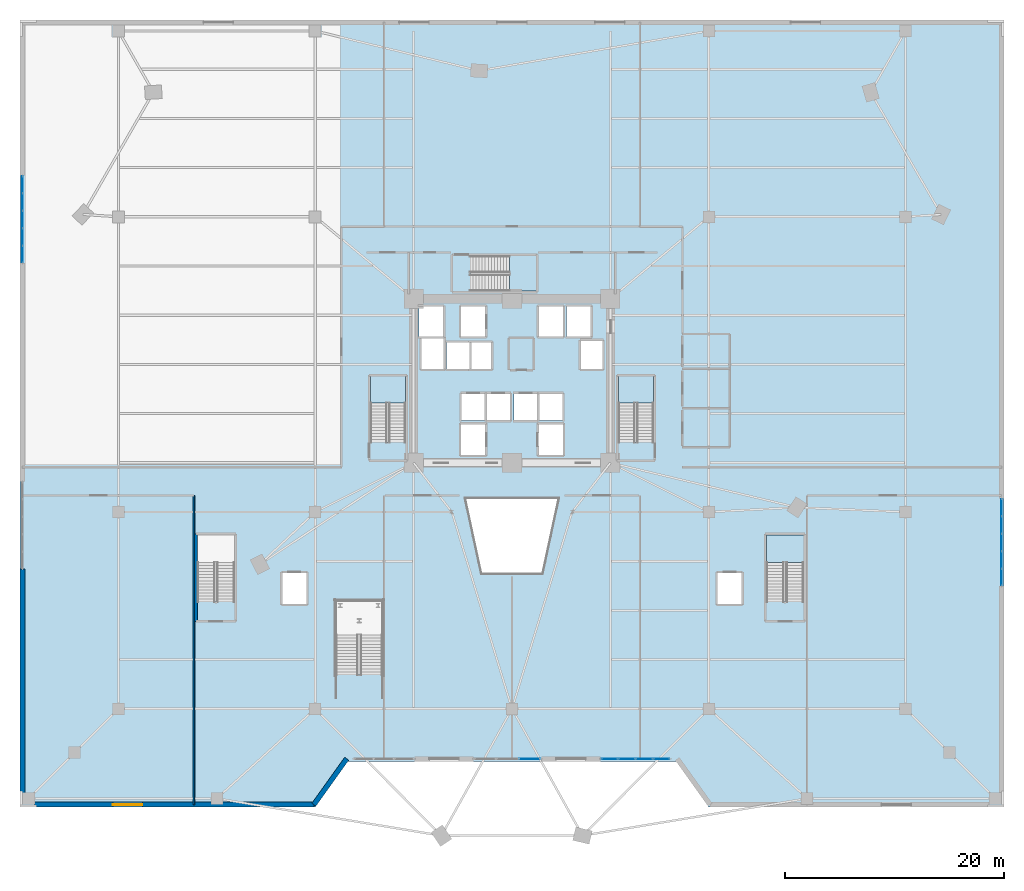
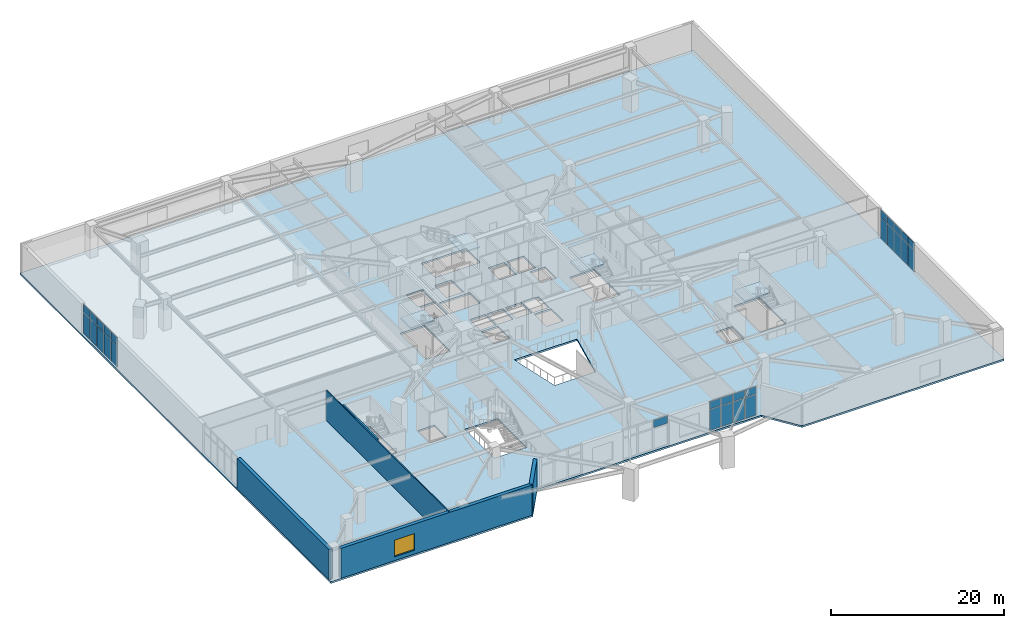
# One storey, part 18 of 29: 29 plates, 5 slabs, 5 walls, 1 window, 1 opening, 8 elements without a shape of their own.
"""IFC4 building model written with IfcOpenShell, lengths in metres."""

from ifc_helpers import new_model, si_unit, direction, frame, frame_2d, origin, origin_2d, place, context, subcontext, project, spatial, polyline, rectangle, outline, extrude, source, transform, mapped, material, layer, layer_set, type_object, element, fill, aggregate, save


model = new_model("IFC4")

# Units and contexts
model_context = context("Model", 3, precision=1e-05, world=origin(), true_north=direction((0.0, 1.0)))
body_context = subcontext(model_context, "Body", "Model", "MODEL_VIEW")
ifc_project = project(units=[si_unit("LENGTHUNIT", "METRE"), si_unit("AREAUNIT", "SQUARE_METRE"), si_unit("VOLUMEUNIT", "CUBIC_METRE"), si_unit("PLANEANGLEUNIT", "RADIAN"), si_unit("MASSUNIT", "GRAM", prefix="KILO")], contexts=[model_context])

# Site, building, storey
site_placement = place(None, origin())
site = spatial("IfcSite", under=ifc_project, at=site_placement, CompositionType="ELEMENT")
building_placement = place(site_placement, origin())
building = spatial("IfcBuilding", under=site, at=building_placement, Name="Liaohun Quay Tower", CompositionType="ELEMENT")
storey_placement = place(building_placement, frame((0.0, 0.0, 5.39990234375)))
storey = spatial("IfcBuildingStorey", under=building, at=storey_placement, Name="L02", CompositionType="ELEMENT", Elevation=5.39990234375)

# Stair, slab
ifc_material_1 = material(Name="Concrete C45", Category="concrete")
stair_type_1 = type_object("IfcStairType", Name="STR-CORE-TALL", PredefinedType="HALF_TURN_STAIR", material=ifc_material_1)
stair_1_placement = place(storey_placement, origin())
stair_1 = element("IfcStair", 1, at=stair_1_placement, inside=storey, type_object=stair_type_1, Name="L02 Smokeproof Core Exit Stair ST-1", PredefinedType="HALF_TURN_STAIR")
ifc_layer_1 = layer(ifc_material_1, 0.199951171875, Name="Concrete C45", Category="concrete")
ifc_layer_set_1 = layer_set([ifc_layer_1], Name="Concrete C45")
slab_type_1 = type_object("IfcSlabType", Name="SLB-LND-200", PredefinedType="LANDING", material=ifc_layer_set_1)
slab_1_placement = place(storey_placement, frame((0.0, 0.0, 2.050048828125)))
slab_1 = element("IfcSlab", 2, at=slab_1_placement, type_object=slab_type_1, Name="ST-1 landing 1", PredefinedType="LANDING", context=body_context, shape_type="SweptSolid", body=[
    extrude(outline(polyline([(50.280029296875, 51.989990234375), (50.280029296875, 54.419921875), (47.0400390625, 54.419921875), (47.0400390625, 51.989990234375), (50.280029296875, 51.989990234375)])), origin(), (0.0, 0.0, 1.0), 0.199951171875),
])
aggregate(stair_1, [slab_1])

stair_2_placement = place(storey_placement, origin())
stair_2 = element("IfcStair", 3, at=stair_2_placement, inside=storey, type_object=stair_type_1, Name="L02 Smokeproof Core Exit Stair ST-2", PredefinedType="HALF_TURN_STAIR")
slab_2_placement = place(storey_placement, frame((0.0, 0.0, 2.050048828125)))
slab_2 = element("IfcSlab", 4, at=slab_2_placement, type_object=slab_type_1, Name="ST-2 landing 1", PredefinedType="LANDING", context=body_context, shape_type="SweptSolid", body=[
    extrude(outline(polyline([(72.9599609375, 51.989990234375), (72.9599609375, 54.419921875), (69.719970703125, 54.419921875), (69.719970703125, 51.989990234375), (72.9599609375, 51.989990234375)])), origin(), (0.0, 0.0, 1.0), 0.199951171875),
])
aggregate(stair_2, [slab_2])

stair_3_placement = place(storey_placement, origin())
stair_3 = element("IfcStair", 5, at=stair_3_placement, inside=storey, type_object=stair_type_1, Name="L02 Smokeproof Core Exit Stair ST-3", PredefinedType="HALF_TURN_STAIR")
slab_3_placement = place(storey_placement, frame((0.0, 0.0, 2.050048828125)))
slab_3 = element("IfcSlab", 6, at=slab_3_placement, type_object=slab_type_1, Name="ST-3 landing 1", PredefinedType="LANDING", context=body_context, shape_type="SweptSolid", body=[
    extrude(outline(polyline([(59.7900390625, 62.199951171875), (62.219970703125, 62.199951171875), (62.219970703125, 65.43994140625), (59.7900390625, 65.43994140625), (59.7900390625, 62.199951171875)])), origin(), (0.0, 0.0, 1.0), 0.199951171875),
])
aggregate(stair_3, [slab_3])

stair_type_2 = type_object("IfcStairType", Name="STR-POD-EXIT", PredefinedType="TWO_STRAIGHT_RUN_STAIR", material=ifc_material_1)
stair_4_placement = place(storey_placement, origin())
stair_4 = element("IfcStair", 7, at=stair_4_placement, inside=storey, type_object=stair_type_2, Name="L02 Podium Smokeproof Exit Stair ST-P2", PredefinedType="TWO_STRAIGHT_RUN_STAIR")
slab_4_placement = place(storey_placement, frame((0.0, 0.0, 2.050048828125)))
slab_4 = element("IfcSlab", 8, at=slab_4_placement, type_object=slab_type_1, Name="ST-P2 landing 1", PredefinedType="LANDING", context=body_context, shape_type="SweptSolid", body=[
    extrude(outline(polyline([(86.699951171875, 37.389892578125), (86.699951171875, 39.89990234375), (83.260009765625, 39.89990234375), (83.260009765625, 37.389892578125), (86.699951171875, 37.389892578125)])), origin(), (0.0, 0.0, 1.0), 0.199951171875),
])
aggregate(stair_4, [slab_4])

# Slab
ifc_layer_2 = layer(ifc_material_1, 0.25, Name="Concrete C45", Category="concrete")
ifc_layer_set_2 = layer_set([ifc_layer_2], Name="Concrete C45")
slab_type_2 = type_object("IfcSlabType", Name="SLB-POD-250", PredefinedType="FLOOR", material=ifc_layer_set_2)
slab_5_placement = place(storey_placement, frame((0.0, 0.0, -0.25)))
element("IfcSlab", 9, at=slab_5_placement, inside=storey, type_object=slab_type_2, Name="L02 Structural Floor Slab", PredefinedType="FLOOR", context=body_context, shape_type="SweptSolid", body=[
    extrude(outline(polyline([(15.0, 15.0), (42.0, 15.0), (45.0, 19.199951171875), (75.0, 19.199951171875), (78.0, 15.0), (105.0, 15.0), (105.0, 87.0), (15.0, 87.0), (15.0, 15.0)]), holes=[polyline([(48.199951171875, 33.89990234375), (43.860107421875, 33.89990234375), (43.860107421875, 27.159912109375), (48.199951171875, 27.159912109375), (48.199951171875, 33.89990234375)]), polyline([(41.2099609375, 33.590087890625), (41.2099609375, 36.409912109375), (38.989990234375, 36.409912109375), (38.989990234375, 33.590087890625), (41.2099609375, 33.590087890625)]), polyline([(34.639892578125, 39.89990234375), (31.199951171875, 39.89990234375), (31.199951171875, 33.81005859375), (34.639892578125, 33.81005859375), (34.639892578125, 39.89990234375)]), polyline([(55.340087890625, 47.2099609375), (57.56005859375, 47.2099609375), (57.56005859375, 50.030029296875), (55.340087890625, 50.030029296875), (55.340087890625, 47.2099609375)]), polyline([(50.280029296875, 48.409912109375), (50.280029296875, 54.419921875), (47.0400390625, 54.419921875), (47.0400390625, 48.409912109375), (50.280029296875, 48.409912109375)]), polyline([(57.510009765625, 50.389892578125), (57.510009765625, 52.81005859375), (55.389892578125, 52.81005859375), (55.389892578125, 50.389892578125), (57.510009765625, 50.389892578125)]), polyline([(57.68994140625, 50.389892578125), (59.81005859375, 50.389892578125), (59.81005859375, 52.81005859375), (57.68994140625, 52.81005859375), (57.68994140625, 50.389892578125)]), polyline([(53.989990234375, 55.090087890625), (58.110107421875, 55.090087890625), (58.110107421875, 57.510009765625), (53.989990234375, 57.510009765625), (53.989990234375, 55.090087890625)]), polyline([(51.7099609375, 55.090087890625), (53.760009765625, 55.090087890625), (53.760009765625, 57.909912109375), (51.7099609375, 57.909912109375), (51.7099609375, 55.090087890625)]), polyline([(51.489990234375, 58.0400390625), (53.7099609375, 58.0400390625), (53.7099609375, 60.7900390625), (51.489990234375, 60.7900390625), (51.489990234375, 58.0400390625)]), polyline([(57.56005859375, 58.0400390625), (57.56005859375, 60.7900390625), (55.340087890625, 60.7900390625), (55.340087890625, 58.0400390625), (57.56005859375, 58.0400390625)]), polyline([(78.7900390625, 33.590087890625), (81.010009765625, 33.590087890625), (81.010009765625, 36.409912109375), (78.7900390625, 36.409912109375), (78.7900390625, 33.590087890625)]), polyline([(86.699951171875, 33.81005859375), (86.699951171875, 39.89990234375), (83.260009765625, 39.89990234375), (83.260009765625, 33.81005859375), (86.699951171875, 33.81005859375)]), polyline([(62.72998046875, 36.39990234375), (64.199951171875, 43.199951171875), (55.800048828125, 43.199951171875), (57.27001953125, 36.39990234375), (62.72998046875, 36.39990234375)]), polyline([(62.43994140625, 47.2099609375), (64.659912109375, 47.2099609375), (64.659912109375, 50.030029296875), (62.43994140625, 50.030029296875), (62.43994140625, 47.2099609375)]), polyline([(72.9599609375, 48.409912109375), (72.9599609375, 54.419921875), (69.719970703125, 54.419921875), (69.719970703125, 48.409912109375), (72.9599609375, 48.409912109375)]), polyline([(62.31005859375, 50.389892578125), (62.31005859375, 52.81005859375), (60.18994140625, 52.81005859375), (60.18994140625, 50.389892578125), (62.31005859375, 50.389892578125)]), polyline([(62.489990234375, 50.389892578125), (64.610107421875, 50.389892578125), (64.610107421875, 52.81005859375), (62.489990234375, 52.81005859375), (62.489990234375, 50.389892578125)]), polyline([(66.2900390625, 55.090087890625), (68.2900390625, 55.090087890625), (68.2900390625, 57.659912109375), (66.2900390625, 57.659912109375), (66.2900390625, 55.090087890625)]), polyline([(64.659912109375, 58.0400390625), (64.659912109375, 60.7900390625), (62.43994140625, 60.7900390625), (62.43994140625, 58.0400390625), (64.659912109375, 58.0400390625)]), polyline([(64.989990234375, 58.0400390625), (67.2099609375, 58.0400390625), (67.2099609375, 60.7900390625), (64.989990234375, 60.7900390625), (64.989990234375, 58.0400390625)]), polyline([(56.2099609375, 62.199951171875), (62.219970703125, 62.199951171875), (62.219970703125, 65.43994140625), (56.2099609375, 65.43994140625), (56.2099609375, 62.199951171875)])]), origin(), (0.0, 0.0, 1.0), 0.25),
])

# Curtain wall, plate
ifc_material_2 = material(Name="Thermally broken waterfront lobby unitised curtain wall")
ifc_layer_3 = layer(ifc_material_2, 0.219970703125, Name="Thermally broken waterfront lobby unitised curtain wall")
ifc_layer_set_3 = layer_set([ifc_layer_3], Name="Thermally broken waterfront lobby unitised curtain wall")
curtain_wall_type_1 = type_object("IfcCurtainWallType", Name="CW-POD-PROM", PredefinedType="NOTDEFINED", material=ifc_layer_set_3)
curtain_wall_1_placement = place(storey_placement, origin())
curtain_wall_1 = element("IfcCurtainWall", 10, at=curtain_wall_1_placement, inside=storey, type_object=curtain_wall_type_1, Name="L02 Waterfront Lobby Curtain Wall CW1-2", PredefinedType="NOTDEFINED")
ifc_material_3 = material(Name="Triple Low-E clear insulated glass unit", Category="glass")
ifc_layer_4 = layer(ifc_material_3, 0.0439453125, Name="Triple Low-E clear insulated glass unit", Category="glass")
ifc_layer_set_4 = layer_set([ifc_layer_4], Name="Triple Low-E clear insulated glass unit")
plate_type_1 = type_object("IfcPlateType", Name="PLT-CWP-GLZ1", PredefinedType="CURTAIN_PANEL", material=ifc_layer_set_4)
shared_shape_1 = source(origin(), body_context, "Body", "SweptSolid", [
    extrude(rectangle(XDim=1.88671875, YDim=0.0439453125, at=origin_2d()), origin(), (0.0, 0.0, 1.0), 1.0400390625),
])
plate_1_placement = place(storey_placement, frame((61.61865234375, 19.429931640625, 3.110107421875), z_axis=(0.0, 0.0, 1.0), x_axis=(1.0, 0.0, 0.0)))
plate_1 = element("IfcPlate", 11, at=plate_1_placement, type_object=plate_type_1, Name="CW1 panel 3.2", PredefinedType="CURTAIN_PANEL", context=body_context, shape_type="MappedRepresentation", body=[
    mapped(shared_shape_1, transform((0.0, 0.0, 0.0), x_axis=(1.0, 0.0, 0.0), y_axis=(0.0, 1.0, 0.0), z_axis=(0.0, 0.0, 1.0), scale=1.0)),
])
aggregate(curtain_wall_1, [plate_1])

# Curtain wall, plates
curtain_wall_2_placement = place(storey_placement, origin())
curtain_wall_2 = element("IfcCurtainWall", 12, at=curtain_wall_2_placement, inside=storey, type_object=curtain_wall_type_1, Name="L02 Waterfront Lobby Curtain Wall CW1-3", PredefinedType="NOTDEFINED")
shared_shape_2 = source(origin(), body_context, "Body", "SweptSolid", [
    extrude(rectangle(XDim=1.428955078125, YDim=0.0439453125, at=origin_2d()), origin(), (0.0, 0.0, 1.0), 2.909912109375),
])
plate_2_placement = place(storey_placement, frame((68.91650390625, 19.429931640625, 0.10009765625), z_axis=(0.0, 0.0, 1.0), x_axis=(1.0, 0.0, 0.0)))
plate_2 = element("IfcPlate", 13, at=plate_2_placement, type_object=plate_type_1, Name="CW1 panel 1.1", PredefinedType="CURTAIN_PANEL", context=body_context, shape_type="MappedRepresentation", body=[
    mapped(shared_shape_2, transform((0.0, 0.0, 0.0), x_axis=(1.0, 0.0, 0.0), y_axis=(0.0, 1.0, 0.0), z_axis=(0.0, 0.0, 1.0), scale=1.0)),
])
plate_3_placement = place(storey_placement, frame((73.68359375, 19.429931640625, 0.10009765625), z_axis=(0.0, 0.0, 1.0), x_axis=(1.0, 0.0, 0.0)))
plate_3 = element("IfcPlate", 14, at=plate_3_placement, type_object=plate_type_1, Name="CW1 panel 4.1", PredefinedType="CURTAIN_PANEL", context=body_context, shape_type="MappedRepresentation", body=[
    mapped(shared_shape_2, transform((0.0, 0.0, 0.0), x_axis=(1.0, 0.0, 0.0), y_axis=(0.0, 1.0, 0.0), z_axis=(0.0, 0.0, 1.0), scale=1.0)),
])
shared_shape_3 = source(origin(), body_context, "Body", "SweptSolid", [
    extrude(rectangle(XDim=1.428955078125, YDim=0.0439453125, at=origin_2d()), origin(), (0.0, 0.0, 1.0), 1.0400390625),
])
plate_4_placement = place(storey_placement, frame((68.91650390625, 19.429931640625, 3.110107421875), z_axis=(0.0, 0.0, 1.0), x_axis=(1.0, 0.0, 0.0)))
plate_4 = element("IfcPlate", 15, at=plate_4_placement, type_object=plate_type_1, Name="CW1 panel 1.2", PredefinedType="CURTAIN_PANEL", context=body_context, shape_type="MappedRepresentation", body=[
    mapped(shared_shape_3, transform((0.0, 0.0, 0.0), x_axis=(1.0, 0.0, 0.0), y_axis=(0.0, 1.0, 0.0), z_axis=(0.0, 0.0, 1.0), scale=1.0)),
])
plate_5_placement = place(storey_placement, frame((73.68359375, 19.429931640625, 3.110107421875), z_axis=(0.0, 0.0, 1.0), x_axis=(1.0, 0.0, 0.0)))
plate_5 = element("IfcPlate", 16, at=plate_5_placement, type_object=plate_type_1, Name="CW1 panel 4.2", PredefinedType="CURTAIN_PANEL", context=body_context, shape_type="MappedRepresentation", body=[
    mapped(shared_shape_3, transform((0.0, 0.0, 0.0), x_axis=(1.0, 0.0, 0.0), y_axis=(0.0, 1.0, 0.0), z_axis=(0.0, 0.0, 1.0), scale=1.0)),
])
shared_shape_4 = source(origin(), body_context, "Body", "SweptSolid", [
    extrude(rectangle(XDim=1.489013671875, YDim=0.0439453125, at=origin_2d()), origin(), (0.0, 0.0, 1.0), 2.909912109375),
])
plate_6_placement = place(storey_placement, frame((70.49560546875, 19.429931640625, 0.10009765625), z_axis=(0.0, 0.0, 1.0), x_axis=(1.0, 0.0, 0.0)))
plate_6 = element("IfcPlate", 17, at=plate_6_placement, type_object=plate_type_1, Name="CW1 panel 2.1", PredefinedType="CURTAIN_PANEL", context=body_context, shape_type="MappedRepresentation", body=[
    mapped(shared_shape_4, transform((0.0, 0.0, 0.0), x_axis=(1.0, 0.0, 0.0), y_axis=(0.0, 1.0, 0.0), z_axis=(0.0, 0.0, 1.0), scale=1.0)),
])
plate_7_placement = place(storey_placement, frame((72.1044921875, 19.429931640625, 0.10009765625), z_axis=(0.0, 0.0, 1.0), x_axis=(1.0, 0.0, 0.0)))
plate_7 = element("IfcPlate", 18, at=plate_7_placement, type_object=plate_type_1, Name="CW1 panel 3.1", PredefinedType="CURTAIN_PANEL", context=body_context, shape_type="MappedRepresentation", body=[
    mapped(shared_shape_4, transform((0.0, 0.0, 0.0), x_axis=(1.0, 0.0, 0.0), y_axis=(0.0, 1.0, 0.0), z_axis=(0.0, 0.0, 1.0), scale=1.0)),
])
shared_shape_5 = source(origin(), body_context, "Body", "SweptSolid", [
    extrude(rectangle(XDim=1.489013671875, YDim=0.0439453125, at=origin_2d()), origin(), (0.0, 0.0, 1.0), 1.0400390625),
])
plate_8_placement = place(storey_placement, frame((70.49560546875, 19.429931640625, 3.110107421875), z_axis=(0.0, 0.0, 1.0), x_axis=(1.0, 0.0, 0.0)))
plate_8 = element("IfcPlate", 19, at=plate_8_placement, type_object=plate_type_1, Name="CW1 panel 2.2", PredefinedType="CURTAIN_PANEL", context=body_context, shape_type="MappedRepresentation", body=[
    mapped(shared_shape_5, transform((0.0, 0.0, 0.0), x_axis=(1.0, 0.0, 0.0), y_axis=(0.0, 1.0, 0.0), z_axis=(0.0, 0.0, 1.0), scale=1.0)),
])
plate_9_placement = place(storey_placement, frame((72.1044921875, 19.429931640625, 3.110107421875), z_axis=(0.0, 0.0, 1.0), x_axis=(1.0, 0.0, 0.0)))
plate_9 = element("IfcPlate", 20, at=plate_9_placement, type_object=plate_type_1, Name="CW1 panel 3.2", PredefinedType="CURTAIN_PANEL", context=body_context, shape_type="MappedRepresentation", body=[
    mapped(shared_shape_5, transform((0.0, 0.0, 0.0), x_axis=(1.0, 0.0, 0.0), y_axis=(0.0, 1.0, 0.0), z_axis=(0.0, 0.0, 1.0), scale=1.0)),
])
aggregate(curtain_wall_2, [plate_2, plate_4, plate_6, plate_8, plate_7, plate_9, plate_3, plate_5])

ifc_material_4 = material(Name="Thermally broken podium arcade storefront curtain wall")
ifc_layer_5 = layer(ifc_material_4, 0.179931640625, Name="Thermally broken podium arcade storefront curtain wall")
ifc_layer_set_5 = layer_set([ifc_layer_5], Name="Thermally broken podium arcade storefront curtain wall")
curtain_wall_type_2 = type_object("IfcCurtainWallType", Name="CW-POD-RET", PredefinedType="NOTDEFINED", material=ifc_layer_set_5)
curtain_wall_3_placement = place(storey_placement, origin())
curtain_wall_3 = element("IfcCurtainWall", 21, at=curtain_wall_3_placement, inside=storey, type_object=curtain_wall_type_2, Name="L02 Podium Arcade Storefront CW2-E1", PredefinedType="NOTDEFINED")
ifc_material_5 = material(Name="Triple Low-E high-selectivity glass unit", Category="glass")
ifc_layer_6 = layer(ifc_material_5, 0.048095703125, Name="Triple Low-E high-selectivity glass unit", Category="glass")
ifc_layer_set_6 = layer_set([ifc_layer_6], Name="Triple Low-E high-selectivity glass unit")
plate_type_2 = type_object("IfcPlateType", Name="PLT-CWP-GLZ2", PredefinedType="CURTAIN_PANEL", material=ifc_layer_set_6)
shared_shape_6 = source(origin(), body_context, "Body", "SweptSolid", [
    extrude(rectangle(XDim=1.47998046875, YDim=0.048095703125, at=origin_2d()), origin(), (0.0, 0.0, 1.0), 2.947509765625),
])
plate_10_placement = place(storey_placement, frame((104.77001953125, 36.050048828125, 0.0751953125), z_axis=(0.0, 0.0, 1.0), x_axis=(0.0, 1.0, 0.0)))
plate_10 = element("IfcPlate", 22, at=plate_10_placement, type_object=plate_type_2, Name="CW2 panel 1.1", PredefinedType="CURTAIN_PANEL", context=body_context, shape_type="MappedRepresentation", body=[
    mapped(shared_shape_6, transform((0.0, 0.0, 0.0), x_axis=(1.0, 0.0, 0.0), y_axis=(0.0, 1.0, 0.0), z_axis=(0.0, 0.0, 1.0), scale=1.0)),
])
plate_11_placement = place(storey_placement, frame((104.77001953125, 42.409912109375, 0.0751953125), z_axis=(0.0, 0.0, 1.0), x_axis=(0.0, 1.0, 0.0)))
plate_11 = element("IfcPlate", 23, at=plate_11_placement, type_object=plate_type_2, Name="CW2 panel 5.1", PredefinedType="CURTAIN_PANEL", context=body_context, shape_type="MappedRepresentation", body=[
    mapped(shared_shape_6, transform((0.0, 0.0, 0.0), x_axis=(1.0, 0.0, 0.0), y_axis=(0.0, 1.0, 0.0), z_axis=(0.0, 0.0, 1.0), scale=1.0)),
])

curtain_wall_4_placement = place(storey_placement, origin())
curtain_wall_4 = element("IfcCurtainWall", 24, at=curtain_wall_4_placement, inside=storey, type_object=curtain_wall_type_2, Name="L02 Podium Arcade Storefront CW2-W1", PredefinedType="NOTDEFINED")
plate_12_placement = place(storey_placement, frame((15.22998046875, 71.949951171875, 0.0751953125), z_axis=(0.0, 0.0, 1.0), x_axis=(0.0, -1.0, 0.0)))
plate_12 = element("IfcPlate", 25, at=plate_12_placement, type_object=plate_type_2, Name="CW2 panel 1.1", PredefinedType="CURTAIN_PANEL", context=body_context, shape_type="MappedRepresentation", body=[
    mapped(shared_shape_6, transform((0.0, 0.0, 0.0), x_axis=(1.0, 0.0, 0.0), y_axis=(0.0, 1.0, 0.0), z_axis=(0.0, 0.0, 1.0), scale=1.0)),
])
plate_13_placement = place(storey_placement, frame((15.22998046875, 65.590087890625, 0.0751953125), z_axis=(0.0, 0.0, 1.0), x_axis=(0.0, -1.0, 0.0)))
plate_13 = element("IfcPlate", 26, at=plate_13_placement, type_object=plate_type_2, Name="CW2 panel 5.1", PredefinedType="CURTAIN_PANEL", context=body_context, shape_type="MappedRepresentation", body=[
    mapped(shared_shape_6, transform((0.0, 0.0, 0.0), x_axis=(1.0, 0.0, 0.0), y_axis=(0.0, 1.0, 0.0), z_axis=(0.0, 0.0, 1.0), scale=1.0)),
])

# Plate
shared_shape_7 = source(origin(), body_context, "Body", "SweptSolid", [
    extrude(rectangle(XDim=1.47998046875, YDim=0.048095703125, at=origin_2d()), origin(), (0.0, 0.0, 1.0), 1.077392578125),
])
plate_14_placement = place(storey_placement, frame((104.77001953125, 36.050048828125, 3.09765625), z_axis=(0.0, 0.0, 1.0), x_axis=(0.0, 1.0, 0.0)))
plate_14 = element("IfcPlate", 27, at=plate_14_placement, type_object=plate_type_2, Name="CW2 panel 1.2", PredefinedType="CURTAIN_PANEL", context=body_context, shape_type="MappedRepresentation", body=[
    mapped(shared_shape_7, transform((0.0, 0.0, 0.0), x_axis=(1.0, 0.0, 0.0), y_axis=(0.0, 1.0, 0.0), z_axis=(0.0, 0.0, 1.0), scale=1.0)),
])

plate_15_placement = place(storey_placement, frame((104.77001953125, 42.409912109375, 3.09765625), z_axis=(0.0, 0.0, 1.0), x_axis=(0.0, 1.0, 0.0)))
plate_15 = element("IfcPlate", 28, at=plate_15_placement, type_object=plate_type_2, Name="CW2 panel 5.2", PredefinedType="CURTAIN_PANEL", context=body_context, shape_type="MappedRepresentation", body=[
    mapped(shared_shape_7, transform((0.0, 0.0, 0.0), x_axis=(1.0, 0.0, 0.0), y_axis=(0.0, 1.0, 0.0), z_axis=(0.0, 0.0, 1.0), scale=1.0)),
])

plate_16_placement = place(storey_placement, frame((15.22998046875, 71.949951171875, 3.09765625), z_axis=(0.0, 0.0, 1.0), x_axis=(0.0, -1.0, 0.0)))
plate_16 = element("IfcPlate", 29, at=plate_16_placement, type_object=plate_type_2, Name="CW2 panel 1.2", PredefinedType="CURTAIN_PANEL", context=body_context, shape_type="MappedRepresentation", body=[
    mapped(shared_shape_7, transform((0.0, 0.0, 0.0), x_axis=(1.0, 0.0, 0.0), y_axis=(0.0, 1.0, 0.0), z_axis=(0.0, 0.0, 1.0), scale=1.0)),
])

plate_17_placement = place(storey_placement, frame((15.22998046875, 65.590087890625, 3.09765625), z_axis=(0.0, 0.0, 1.0), x_axis=(0.0, -1.0, 0.0)))
plate_17 = element("IfcPlate", 30, at=plate_17_placement, type_object=plate_type_2, Name="CW2 panel 5.2", PredefinedType="CURTAIN_PANEL", context=body_context, shape_type="MappedRepresentation", body=[
    mapped(shared_shape_7, transform((0.0, 0.0, 0.0), x_axis=(1.0, 0.0, 0.0), y_axis=(0.0, 1.0, 0.0), z_axis=(0.0, 0.0, 1.0), scale=1.0)),
])

shared_shape_8 = source(origin(), body_context, "Body", "SweptSolid", [
    extrude(rectangle(XDim=1.52001953125, YDim=0.048095703125, at=origin_2d()), origin(), (0.0, 0.0, 1.0), 2.947509765625),
])
plate_18_placement = place(storey_placement, frame((104.77001953125, 37.6298828125, 0.0751953125), z_axis=(0.0, 0.0, 1.0), x_axis=(0.0, 1.0, 0.0)))
plate_18 = element("IfcPlate", 31, at=plate_18_placement, type_object=plate_type_2, Name="CW2 panel 2.1", PredefinedType="CURTAIN_PANEL", context=body_context, shape_type="MappedRepresentation", body=[
    mapped(shared_shape_8, transform((0.0, 0.0, 0.0), x_axis=(1.0, 0.0, 0.0), y_axis=(0.0, 1.0, 0.0), z_axis=(0.0, 0.0, 1.0), scale=1.0)),
])

plate_19_placement = place(storey_placement, frame((104.77001953125, 39.22998046875, 0.0751953125), z_axis=(0.0, 0.0, 1.0), x_axis=(0.0, 1.0, 0.0)))
plate_19 = element("IfcPlate", 32, at=plate_19_placement, type_object=plate_type_2, Name="CW2 panel 3.1", PredefinedType="CURTAIN_PANEL", context=body_context, shape_type="MappedRepresentation", body=[
    mapped(shared_shape_8, transform((0.0, 0.0, 0.0), x_axis=(1.0, 0.0, 0.0), y_axis=(0.0, 1.0, 0.0), z_axis=(0.0, 0.0, 1.0), scale=1.0)),
])

plate_20_placement = place(storey_placement, frame((104.77001953125, 40.830078125, 0.0751953125), z_axis=(0.0, 0.0, 1.0), x_axis=(0.0, 1.0, 0.0)))
plate_20 = element("IfcPlate", 33, at=plate_20_placement, type_object=plate_type_2, Name="CW2 panel 4.1", PredefinedType="CURTAIN_PANEL", context=body_context, shape_type="MappedRepresentation", body=[
    mapped(shared_shape_8, transform((0.0, 0.0, 0.0), x_axis=(1.0, 0.0, 0.0), y_axis=(0.0, 1.0, 0.0), z_axis=(0.0, 0.0, 1.0), scale=1.0)),
])

plate_21_placement = place(storey_placement, frame((15.22998046875, 70.3701171875, 0.0751953125), z_axis=(0.0, 0.0, 1.0), x_axis=(0.0, -1.0, 0.0)))
plate_21 = element("IfcPlate", 34, at=plate_21_placement, type_object=plate_type_2, Name="CW2 panel 2.1", PredefinedType="CURTAIN_PANEL", context=body_context, shape_type="MappedRepresentation", body=[
    mapped(shared_shape_8, transform((0.0, 0.0, 0.0), x_axis=(1.0, 0.0, 0.0), y_axis=(0.0, 1.0, 0.0), z_axis=(0.0, 0.0, 1.0), scale=1.0)),
])

plate_22_placement = place(storey_placement, frame((15.22998046875, 68.77001953125, 0.0751953125), z_axis=(0.0, 0.0, 1.0), x_axis=(0.0, -1.0, 0.0)))
plate_22 = element("IfcPlate", 35, at=plate_22_placement, type_object=plate_type_2, Name="CW2 panel 3.1", PredefinedType="CURTAIN_PANEL", context=body_context, shape_type="MappedRepresentation", body=[
    mapped(shared_shape_8, transform((0.0, 0.0, 0.0), x_axis=(1.0, 0.0, 0.0), y_axis=(0.0, 1.0, 0.0), z_axis=(0.0, 0.0, 1.0), scale=1.0)),
])

plate_23_placement = place(storey_placement, frame((15.22998046875, 67.169921875, 0.0751953125), z_axis=(0.0, 0.0, 1.0), x_axis=(0.0, -1.0, 0.0)))
plate_23 = element("IfcPlate", 36, at=plate_23_placement, type_object=plate_type_2, Name="CW2 panel 4.1", PredefinedType="CURTAIN_PANEL", context=body_context, shape_type="MappedRepresentation", body=[
    mapped(shared_shape_8, transform((0.0, 0.0, 0.0), x_axis=(1.0, 0.0, 0.0), y_axis=(0.0, 1.0, 0.0), z_axis=(0.0, 0.0, 1.0), scale=1.0)),
])

shared_shape_9 = source(origin(), body_context, "Body", "SweptSolid", [
    extrude(rectangle(XDim=1.52001953125, YDim=0.048095703125, at=origin_2d()), origin(), (0.0, 0.0, 1.0), 1.077392578125),
])
plate_24_placement = place(storey_placement, frame((104.77001953125, 37.6298828125, 3.09765625), z_axis=(0.0, 0.0, 1.0), x_axis=(0.0, 1.0, 0.0)))
plate_24 = element("IfcPlate", 37, at=plate_24_placement, type_object=plate_type_2, Name="CW2 panel 2.2", PredefinedType="CURTAIN_PANEL", context=body_context, shape_type="MappedRepresentation", body=[
    mapped(shared_shape_9, transform((0.0, 0.0, 0.0), x_axis=(1.0, 0.0, 0.0), y_axis=(0.0, 1.0, 0.0), z_axis=(0.0, 0.0, 1.0), scale=1.0)),
])

plate_25_placement = place(storey_placement, frame((104.77001953125, 39.22998046875, 3.09765625), z_axis=(0.0, 0.0, 1.0), x_axis=(0.0, 1.0, 0.0)))
plate_25 = element("IfcPlate", 38, at=plate_25_placement, type_object=plate_type_2, Name="CW2 panel 3.2", PredefinedType="CURTAIN_PANEL", context=body_context, shape_type="MappedRepresentation", body=[
    mapped(shared_shape_9, transform((0.0, 0.0, 0.0), x_axis=(1.0, 0.0, 0.0), y_axis=(0.0, 1.0, 0.0), z_axis=(0.0, 0.0, 1.0), scale=1.0)),
])

plate_26_placement = place(storey_placement, frame((104.77001953125, 40.830078125, 3.09765625), z_axis=(0.0, 0.0, 1.0), x_axis=(0.0, 1.0, 0.0)))
plate_26 = element("IfcPlate", 39, at=plate_26_placement, type_object=plate_type_2, Name="CW2 panel 4.2", PredefinedType="CURTAIN_PANEL", context=body_context, shape_type="MappedRepresentation", body=[
    mapped(shared_shape_9, transform((0.0, 0.0, 0.0), x_axis=(1.0, 0.0, 0.0), y_axis=(0.0, 1.0, 0.0), z_axis=(0.0, 0.0, 1.0), scale=1.0)),
])

aggregate(curtain_wall_3, [plate_10, plate_14, plate_18, plate_24, plate_19, plate_25, plate_20, plate_26, plate_11, plate_15])

plate_27_placement = place(storey_placement, frame((15.22998046875, 70.3701171875, 3.09765625), z_axis=(0.0, 0.0, 1.0), x_axis=(0.0, -1.0, 0.0)))
plate_27 = element("IfcPlate", 40, at=plate_27_placement, type_object=plate_type_2, Name="CW2 panel 2.2", PredefinedType="CURTAIN_PANEL", context=body_context, shape_type="MappedRepresentation", body=[
    mapped(shared_shape_9, transform((0.0, 0.0, 0.0), x_axis=(1.0, 0.0, 0.0), y_axis=(0.0, 1.0, 0.0), z_axis=(0.0, 0.0, 1.0), scale=1.0)),
])

plate_28_placement = place(storey_placement, frame((15.22998046875, 68.77001953125, 3.09765625), z_axis=(0.0, 0.0, 1.0), x_axis=(0.0, -1.0, 0.0)))
plate_28 = element("IfcPlate", 41, at=plate_28_placement, type_object=plate_type_2, Name="CW2 panel 3.2", PredefinedType="CURTAIN_PANEL", context=body_context, shape_type="MappedRepresentation", body=[
    mapped(shared_shape_9, transform((0.0, 0.0, 0.0), x_axis=(1.0, 0.0, 0.0), y_axis=(0.0, 1.0, 0.0), z_axis=(0.0, 0.0, 1.0), scale=1.0)),
])

plate_29_placement = place(storey_placement, frame((15.22998046875, 67.169921875, 3.09765625), z_axis=(0.0, 0.0, 1.0), x_axis=(0.0, -1.0, 0.0)))
plate_29 = element("IfcPlate", 42, at=plate_29_placement, type_object=plate_type_2, Name="CW2 panel 4.2", PredefinedType="CURTAIN_PANEL", context=body_context, shape_type="MappedRepresentation", body=[
    mapped(shared_shape_9, transform((0.0, 0.0, 0.0), x_axis=(1.0, 0.0, 0.0), y_axis=(0.0, 1.0, 0.0), z_axis=(0.0, 0.0, 1.0), scale=1.0)),
])

aggregate(curtain_wall_4, [plate_12, plate_16, plate_21, plate_27, plate_22, plate_28, plate_23, plate_29, plate_13, plate_17])

# Walls
ifc_material_6 = material(Name="Precast concrete C50 with granite facing", Category="masonry")
ifc_layer_7 = layer(ifc_material_6, 0.4599609375, Name="Precast concrete C50 with granite facing", Category="masonry")
ifc_layer_set_7 = layer_set([ifc_layer_7], Name="Precast concrete C50 with granite facing")
wall_type_1 = type_object("IfcWallType", Name="WAL-EXT-POD", PredefinedType="SOLIDWALL", material=ifc_layer_set_7)
wall_1_placement = place(storey_placement, frame((41.882080078125, 15.22998046875, 0.0), z_axis=(0.0, 0.0, 1.0), x_axis=(0.581242668191, 0.813730275137, 0.0)))
element("IfcWall", 43, at=wall_1_placement, inside=storey, type_object=wall_type_1, Name="L02 Podium Precast Facade Wall 01", PredefinedType="SOLIDWALL", context=body_context, shape_type="SweptSolid", body=[
    extrude(rectangle(XDim=5.161376953125, YDim=0.4599609375, at=frame_2d((2.58056640625, 0.0))), origin(), (0.0, 0.0, 1.0), 4.25),
])
wall_2_placement = place(storey_placement, frame((15.22998046875, 36.77001953125, 0.0), z_axis=(0.0, 0.0, 1.0), x_axis=(0.0, -1.0, 0.0)))
element("IfcWall", 44, at=wall_2_placement, inside=storey, type_object=wall_type_1, Name="L02 Podium Precast Facade Wall 7-3", PredefinedType="SOLIDWALL", context=body_context, shape_type="SweptSolid", body=[
    extrude(rectangle(XDim=21.300048828125, YDim=0.4599609375, at=frame_2d((10.64990234375, 0.0))), origin(), (0.0, 0.0, 1.0), 4.25),
])

# Wall, opening, window
wall_3_placement = place(storey_placement, frame((16.340087890625, 15.22998046875, 0.0), z_axis=(0.0, 0.0, 1.0), x_axis=(1.0, 0.0, 0.0)))
wall_3 = element("IfcWall", 45, at=wall_3_placement, inside=storey, type_object=wall_type_1, Name="L02 Podium Precast Facade Wall 08", PredefinedType="SOLIDWALL", context=body_context, shape_type="SweptSolid", body=[
    extrude(rectangle(XDim=25.5419921875, YDim=0.4599609375, at=frame_2d((12.77099609375, 0.0))), origin(), (0.0, 0.0, 1.0), 4.25),
])
shared_shape_10 = source(origin(), body_context, "Body", "SweptSolid", [
    extrude(rectangle(XDim=2.699951171875, YDim=2.35009765625, at=frame_2d((1.35009765625, 1.175048828125))), frame((0.0, 0.239990234375, 0.0), z_axis=(0.0, -1.0, 0.0), x_axis=(1.0, 0.0, 0.0)), (0.0, 0.0, 1.0), 0.47998046875),
])
opening_placement = place(wall_3_placement, frame((7.1640625, 0.0, 0.550048828125)))
opening = element("IfcOpeningElement", 46, at=opening_placement, cuts=wall_3, Name="Opening W06", PredefinedType="OPENING", context=body_context, shape_type="MappedRepresentation", body=[
    mapped(shared_shape_10, transform((0.0, 0.0, 0.0), x_axis=(1.0, 0.0, 0.0), y_axis=(0.0, 1.0, 0.0), z_axis=(0.0, 0.0, 1.0), scale=1.0)),
])
ifc_material_7 = material(Name="Triple Low-E waterfront podium glazing", Category="glass")
window_type = type_object("IfcWindowType", Name="WIN-POD-ARC", PartitioningType="TRIPLE_PANEL_VERTICAL", PredefinedType="WINDOW", material=ifc_material_7)
shared_shape_11 = source(origin(), body_context, "Body", "SweptSolid", [
    extrude(rectangle(XDim=2.699951171875, YDim=2.35009765625, at=frame_2d((1.35009765625, 1.175048828125))), frame((0.0, 0.030029296875, 0.0), z_axis=(0.0, -1.0, 0.0), x_axis=(1.0, 0.0, 0.0)), (0.0, 0.0, 1.0), 0.06005859375),
])
window_placement = place(opening_placement, origin())
window = element("IfcWindow", 47, at=window_placement, inside=storey, type_object=window_type, Name="L02 Podium Punched Window W06-08-01", OverallHeight=2.35009765625, OverallWidth=2.699951171875, PartitioningType="TRIPLE_PANEL_VERTICAL", PredefinedType="WINDOW", context=body_context, shape_type="MappedRepresentation", body=[
    mapped(shared_shape_11, transform((0.0, 0.0, 0.0), x_axis=(1.0, 0.0, 0.0), y_axis=(0.0, 1.0, 0.0), z_axis=(0.0, 0.0, 1.0), scale=1.0)),
])
fill(opening, window)

# Walls
ifc_material_8 = material(Name="Gypsum board on twin steel studs", Category="steel")
ifc_layer_8 = layer(ifc_material_8, 0.139892578125, Name="Gypsum board on twin steel studs", Category="steel")
ifc_layer_set_8 = layer_set([ifc_layer_8], Name="Gypsum board on twin steel studs")
wall_type_2 = type_object("IfcWallType", Name="WAL-PRT-OFF", PredefinedType="PARTITIONING", material=ifc_layer_set_8)
wall_4_placement = place(storey_placement, frame((30.89990234375, 15.22509765625, 0.0), z_axis=(0.0, 0.0, 1.0), x_axis=(0.0, 1.0, 0.0)))
element("IfcWall", 48, at=wall_4_placement, inside=storey, type_object=wall_type_2, Name="L02 Interior Partition Wall 028", PredefinedType="PARTITIONING", context=body_context, shape_type="SweptSolid", body=[
    extrude(rectangle(XDim=28.27490234375, YDim=0.139892578125, at=frame_2d((14.137451171875, 0.0))), origin(), (0.0, 0.0, 1.0), 4.25),
])
ifc_material_9 = material(Name="Concrete C50", Category="concrete")
ifc_layer_9 = layer(ifc_material_9, 0.239990234375, Name="Concrete C50", Category="concrete")
ifc_layer_set_9 = layer_set([ifc_layer_9], Name="Concrete C50")
wall_type_3 = type_object("IfcWallType", Name="WAL-SHF-200", PredefinedType="SOLIDWALL", material=ifc_layer_set_9)
wall_5_placement = place(storey_placement, frame((31.10009765625, 40.0, 0.0), z_axis=(0.0, 0.0, 1.0), x_axis=(0.0, -1.0, 0.0)))
element("IfcWall", 49, at=wall_5_placement, inside=storey, type_object=wall_type_3, Name="L02 Stairwell ST-P1 Structural Core Wall W", PredefinedType="SOLIDWALL", context=body_context, shape_type="SweptSolid", body=[
    extrude(rectangle(XDim=8.0, YDim=0.239990234375, at=frame_2d((4.0, 0.0))), origin(), (0.0, 0.0, 1.0), 4.25),
])

save(model, "model.ifc")
